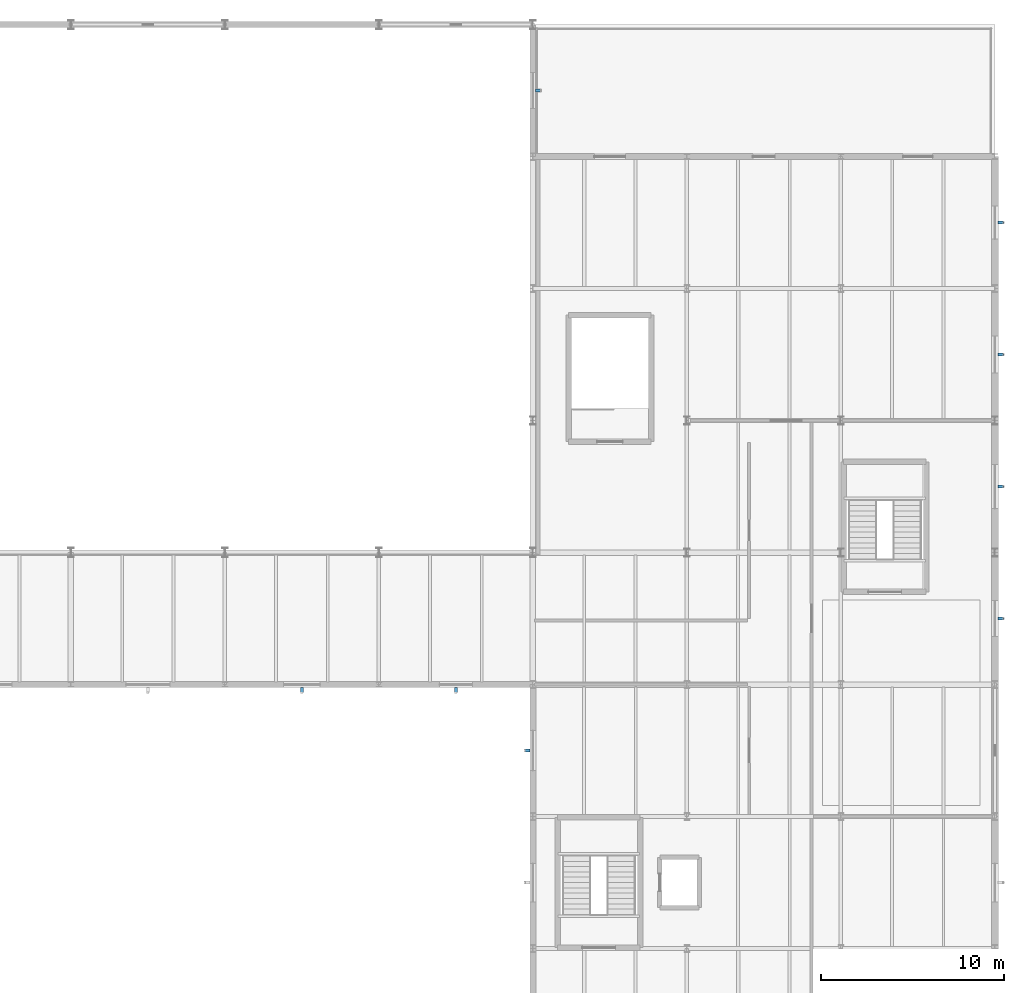
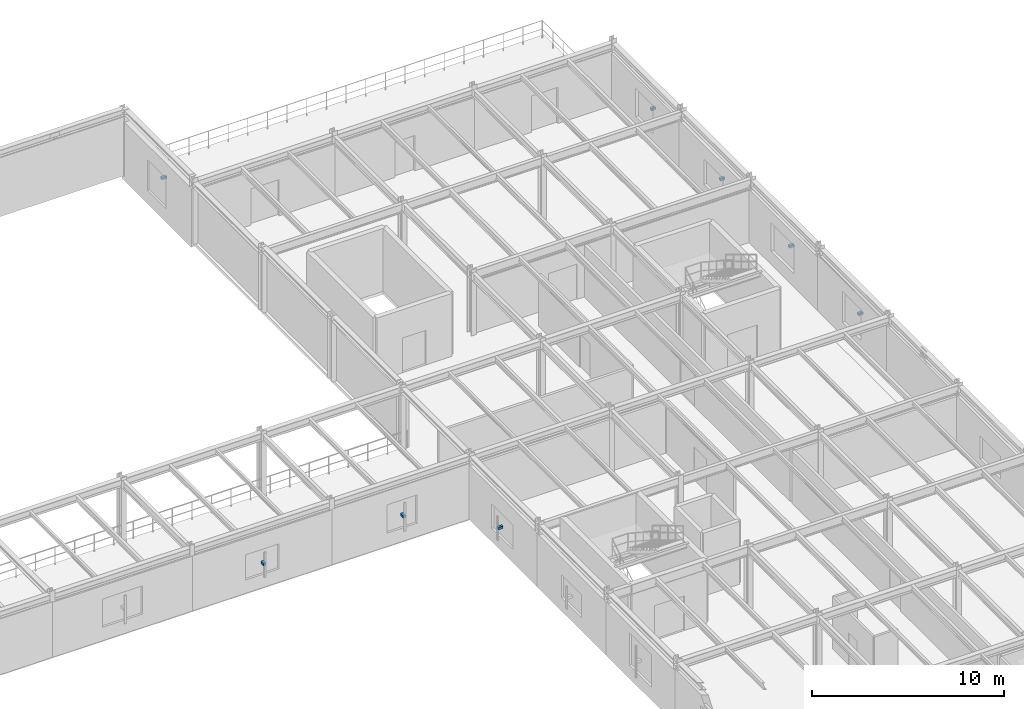
# One storey, part 77 of 109: 8 discrete accessories.
"""IFC4 building model written with IfcOpenShell, lengths in metres."""

from ifc_helpers import new_model, si_unit, derived_unit, direction, frame, origin, origin_2d, place, context, subcontext, project, spatial, rectangle, extrude, material, type_object, element, save


model = new_model("IFC4")

# Units and contexts
model_context = context("Model", 3, precision=1e-05, world=origin(), true_north=direction((0.0, 1.0)))
body_context = subcontext(model_context, "Body", "Model", "MODEL_VIEW")
ifc_project = project(units=[si_unit("LENGTHUNIT", "METRE"), si_unit("AREAUNIT", "SQUARE_METRE"), si_unit("VOLUMEUNIT", "CUBIC_METRE"), si_unit("PLANEANGLEUNIT", "RADIAN"), si_unit("MASSUNIT", "GRAM", prefix="KILO"), derived_unit("THERMALTRANSMITTANCEUNIT", [(si_unit("MASSUNIT", "GRAM", prefix="KILO"), 1), (si_unit("TIMEUNIT", "SECOND"), -3), (si_unit("THERMODYNAMICTEMPERATUREUNIT", "KELVIN"), -1)])], contexts=[model_context])

# Site, building, storey
site_placement = place(None, origin())
site = spatial("IfcSite", under=ifc_project, at=site_placement, CompositionType="ELEMENT")
building_placement = place(site_placement, origin())
building = spatial("IfcBuilding", under=site, at=building_placement, Name="Kharveza Railside Sports Centre", CompositionType="ELEMENT")
storey_placement = place(building_placement, frame((0.0, 0.0, 4.5)))
storey = spatial("IfcBuildingStorey", under=building, at=storey_placement, Name="L01", CompositionType="ELEMENT", Elevation=4.5)

# Discrete accessories
ifc_material = material(Name="Steel S275JR", Category="steel")
discrete_accessory_type = type_object("IfcDiscreteAccessoryType", Name="DA-BK01", PredefinedType="BRACKET", material=ifc_material)
for number, where, z_axis, x_axis, name in (
    (1, (168.320068359375, 75.60009765625, 1.7451171875), (0.0, 0.0, 1.0), (1.0, 0.0, 0.0), "BK-FIN-045"),
    (2, (168.320068359375, 82.800048828125, 1.669921875), (0.0, 0.0, 1.0), (1.0, 0.0, 0.0), "BK-FIN-046"),
    (3, (168.320068359375, 90.0, 1.56982421875), (0.0, 0.0, 1.0), (1.0, 0.0, 0.0), "BK-FIN-047"),
    (4, (168.320068359375, 97.199951171875, 1.669921875), (0.0, 0.0, 1.0), (1.0, 0.0, 0.0), "BK-FIN-048"),
    (5, (143.074951171875, 104.39990234375, 1.7451171875), (0.0, 0.0, 1.0), (1.0, 0.0, 0.0), "BK-FIN-049"),
    (6, (130.199951171875, 71.7099609375, 1.56982421875), (0.0, 0.0, 1.0), (0.0, -1.0, 0.0), "BK-FIN-059"),
    (7, (138.60009765625, 71.7099609375, 1.669921875), (0.0, 0.0, 1.0), (0.0, -1.0, 0.0), "BK-FIN-060"),
    (8, (142.510009765625, 68.39990234375, 1.544921875), (0.0, 0.0, 1.0), (-1.0, 0.0, 0.0), "BK-FIN-061"),
):
    element("IfcDiscreteAccessory", number, at=place(storey_placement, frame(where, z_axis=z_axis, x_axis=x_axis)), inside=storey, type_object=discrete_accessory_type, Name=name, PredefinedType="BRACKET", context=body_context, shape_type="SweptSolid", body=[
        extrude(rectangle(XDim=0.280029296875, YDim=0.159912109375, at=origin_2d()), origin(), (0.0, 0.0, 1.0), 0.159912109375),
    ])

save(model, "model.ifc")
